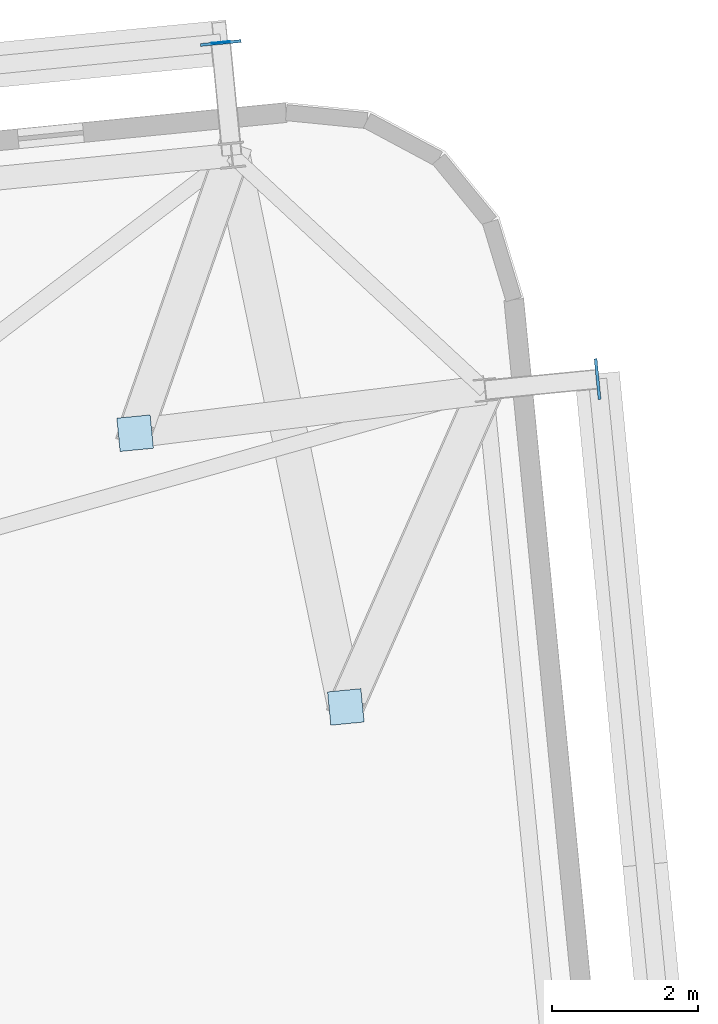
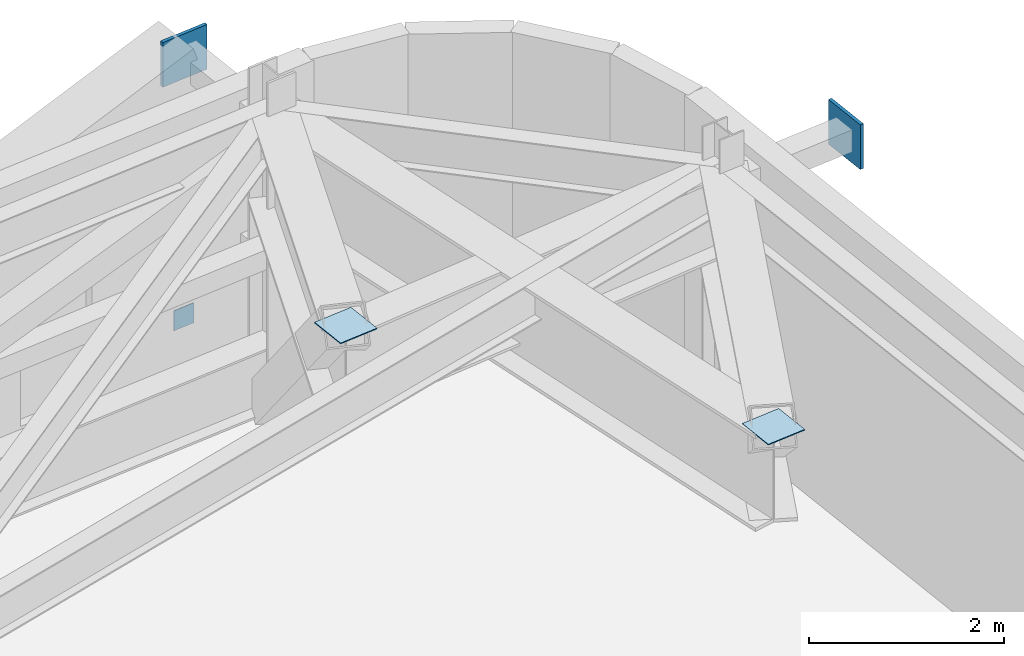
# One storey, part 20 of 24: 5 plates.
"""IFC4 building model written with IfcOpenShell, lengths in metres."""

from ifc_helpers import new_model, si_unit, direction, frame, origin, origin_2d, place, context, subcontext, project, spatial, rectangle, extrude, source, transform, mapped, material, layer, layer_set, type_object, element, save


model = new_model("IFC4")

# Units and contexts
model_context = context("Model", 3, precision=1e-05, world=origin(), true_north=direction((0.0, 1.0)))
body_context = subcontext(model_context, "Body", "Model", "MODEL_VIEW")
ifc_project = project(units=[si_unit("LENGTHUNIT", "METRE"), si_unit("AREAUNIT", "SQUARE_METRE"), si_unit("VOLUMEUNIT", "CUBIC_METRE"), si_unit("PLANEANGLEUNIT", "RADIAN"), si_unit("MASSUNIT", "GRAM", prefix="KILO")], contexts=[model_context])

# Site, building, storey
site_placement = place(None, origin())
site = spatial("IfcSite", under=ifc_project, at=site_placement, CompositionType="ELEMENT")
building_placement = place(site_placement, origin())
building = spatial("IfcBuilding", under=site, at=building_placement, Name="Taldren Reach Tower", CompositionType="ELEMENT")
storey_placement = place(building_placement, frame((0.0, 0.0, 112.35009765625)))
storey = spatial("IfcBuildingStorey", under=building, at=storey_placement, Name="L34", CompositionType="ELEMENT", Elevation=112.35009765625)

# Plates
ifc_material_1 = material(Name="Steel Gr 450 (C450L0)", Category="steel")
ifc_layer_1 = layer(ifc_material_1, 0.0400390625)
ifc_layer_set_1 = layer_set([ifc_layer_1], Name="Steel Gr 450 (C450L0)")
plate_type_1 = type_object("IfcPlateType", Name="PL-GUSSET-40", PredefinedType="SHEET", material=ifc_layer_set_1)
shared_shape_1 = source(origin(), body_context, "Body", "SweptSolid", [
    extrude(rectangle(XDim=0.56005859375, YDim=0.0400390625, at=origin_2d()), origin(), (0.0, 0.0, 1.0), 0.56005859375),
])
for number, where, z_axis, x_axis, name in (
    (1, (59.614501953125, 40.222412109375, 3.219970703125), (0.0, 0.0, 1.0), (0.995227399982, 0.097582899759, 0.0), "Exoskeleton star-node gusset plate B2-N6 L34"),
    (2, (64.789794921875, 35.60546875, 3.219970703125), (0.0, 0.0, 1.0), (-0.097582899759, 0.995227399982, 0.0), "Exoskeleton star-node gusset plate B2-E3 L34"),
):
    element("IfcPlate", number, at=place(storey_placement, frame(where, z_axis=z_axis, x_axis=x_axis)), inside=storey, type_object=plate_type_1, Name=name, PredefinedType="SHEET", context=body_context, shape_type="MappedRepresentation", body=[
        mapped(shared_shape_1, transform((0.0, 0.0, 0.0), scale=1.0)),
    ])
ifc_material_2 = material(Name="Steel Gr 350 (C350L0)", Category="steel")
ifc_layer_2 = layer(ifc_material_2, 0.011962890625)
ifc_layer_set_2 = layer_set([ifc_layer_2], Name="Steel Gr 350 (C350L0)")
plate_type_2 = type_object("IfcPlateType", Name="PL-CAP-250", PredefinedType="SHEET", material=ifc_layer_set_2)
shared_shape_2 = source(origin(), body_context, "Body", "SweptSolid", [
    extrude(rectangle(XDim=0.25, YDim=0.011962890625, at=origin_2d()), origin(), (0.0, 0.0, 1.0), 0.25),
])
plate_placement = place(storey_placement, frame((59.614013671875, 40.228515625, 0.094970703125), z_axis=(0.0, 0.0, 1.0), x_axis=(0.995227399982, 0.097582899759, 0.0)))
element("IfcPlate", 3, at=plate_placement, inside=storey, type_object=plate_type_2, Name="Tie strut end cap plate B2-N6 L34", PredefinedType="SHEET", context=body_context, shape_type="MappedRepresentation", body=[
    mapped(shared_shape_2, transform((0.0, 0.0, 0.0), scale=1.0)),
])
ifc_layer_3 = layer(ifc_material_1, 0.011962890625)
ifc_layer_set_3 = layer_set([ifc_layer_3], Name="Steel Gr 450 (C450L0)")
plate_type_3 = type_object("IfcPlateType", Name="PL-CAP-460", PredefinedType="SHEET", material=ifc_layer_set_3)
shared_shape_3 = source(origin(), body_context, "Body", "SweptSolid", [
    extrude(rectangle(XDim=0.4599609375, YDim=0.4599609375, at=origin_2d()), origin(), (0.0, 0.0, 1.0), 0.011962890625),
])
for number, where, z_axis, x_axis, name in (
    (4, (58.4365234375, 34.861572265625, 3.76806640625), (0.0, 0.0, 1.0), (0.995227399982, 0.097582899759, 0.0), "Transfer strut end cap plate TS-B3-N6 L34"),
    (5, (61.3310546875, 31.1005859375, 3.76806640625), (0.0, 0.0, 1.0), (0.995227399982, 0.097582899759, 0.0), "Transfer strut end cap plate TS-B3-E3 L34"),
):
    element("IfcPlate", number, at=place(storey_placement, frame(where, z_axis=z_axis, x_axis=x_axis)), inside=storey, type_object=plate_type_3, Name=name, PredefinedType="SHEET", context=body_context, shape_type="MappedRepresentation", body=[
        mapped(shared_shape_3, transform((0.0, 0.0, 0.0), scale=1.0)),
    ])

save(model, "model.ifc")
